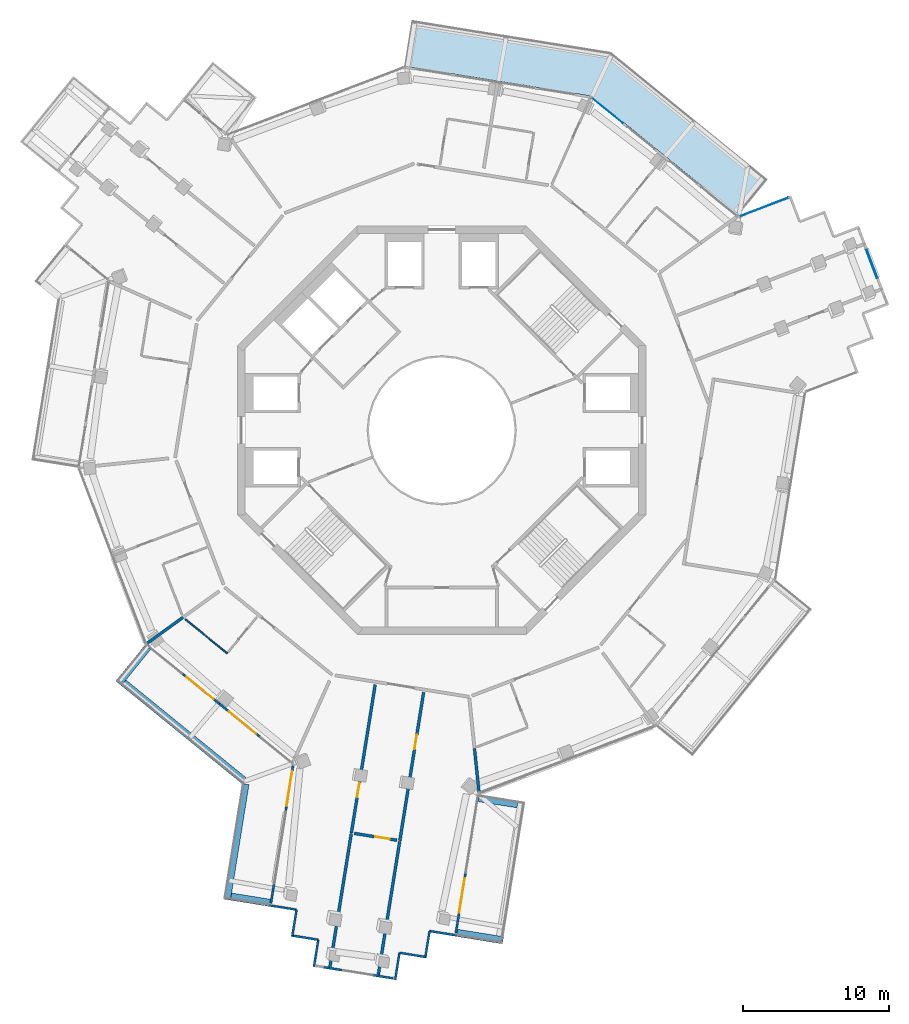
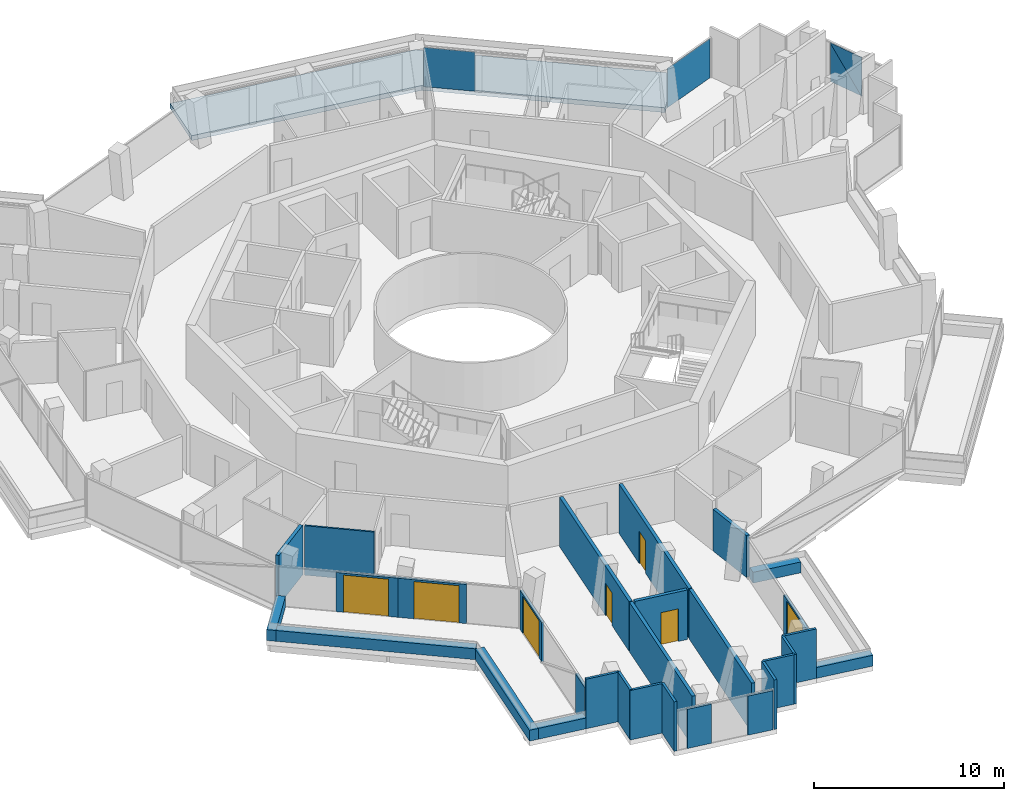
# One storey, part 15 of 23: 29 walls, 7 doors, 4 plates, 1 slab, 7 openings, 3 elements without a shape of their own.
"""IFC4 building model written with IfcOpenShell, lengths in metres."""

from ifc_helpers import new_model, si_unit, direction, frame, frame_2d, origin, origin_2d, place, context, subcontext, project, spatial, polyline, rectangle, outline, extrude, material, layer, layer_set, type_object, element, fill, aggregate, save


model = new_model("IFC4")

# Units and contexts
model_context = context("Model", 3, precision=1e-05, world=origin(), true_north=direction((0.0, 1.0)))
body_context = subcontext(model_context, "Body", "Model", "MODEL_VIEW")
ifc_project = project(units=[si_unit("LENGTHUNIT", "METRE"), si_unit("AREAUNIT", "SQUARE_METRE"), si_unit("VOLUMEUNIT", "CUBIC_METRE"), si_unit("PLANEANGLEUNIT", "RADIAN"), si_unit("MASSUNIT", "GRAM", prefix="KILO")], contexts=[model_context])

# Site, building, storey
site_placement = place(None, origin())
site = spatial("IfcSite", under=ifc_project, at=site_placement, CompositionType="ELEMENT")
building_placement = place(site_placement, origin())
building = spatial("IfcBuilding", under=site, at=building_placement, Name="Verdalira Terraces Hotel", CompositionType="ELEMENT")
storey_placement = place(building_placement, frame((0.0, 0.0, 241.0)))
storey = spatial("IfcBuildingStorey", under=building, at=storey_placement, Name="L59", CompositionType="ELEMENT", Elevation=241.0)

# Slab
ifc_material_1 = material(Name="Precast concrete C40/50", Category="concrete")
ifc_layer_1 = layer(ifc_material_1, 0.31005859375)
ifc_layer_set_1 = layer_set([ifc_layer_1], Name="Balcony deck 310")
slab_type = type_object("IfcSlabType", Name="Balcony deck 310", PredefinedType="FLOOR", material=ifc_layer_set_1)
slab_placement = place(storey_placement, frame((0.0, 0.0, -0.310059)))
element("IfcSlab", 1, at=slab_placement, inside=storey, type_object=slab_type, Name="Balcony deck", PredefinedType="FLOOR", context=body_context, shape_type="SweptSolid", body=[
    extrude(outline(polyline([(-2.065674, 28.141602), (-2.572754, 24.981934), (10.262939, 22.921387), (20.348633, 14.718994), (22.367676, 17.20166), (11.616699, 25.945068), (-2.065674, 28.141602)])), origin(), (0.0, 0.0, 1.0), 0.310059),
])

# Curtain wall, plate
ifc_material_2 = material(Name="Clear glass", Category="glass")
ifc_layer_2 = layer(ifc_material_2, 0.14990234375)
ifc_layer_set_2 = layer_set([ifc_layer_2], Name="CW1 curtain wall")
curtain_wall_type_1 = type_object("IfcCurtainWallType", Name="CW1 curtain wall", PredefinedType="NOTDEFINED", material=ifc_layer_set_2)
curtain_wall_1_placement = place(storey_placement, origin())
curtain_wall_1 = element("IfcCurtainWall", 2, at=curtain_wall_1_placement, inside=storey, type_object=curtain_wall_type_1, Name="CW1 curtain wall L59 edge 39", PredefinedType="NOTDEFINED")
ifc_material_3 = material(Name="Clear glass", Category="glass")
ifc_layer_3 = layer(ifc_material_3, 0.028076171875)
ifc_layer_set_3 = layer_set([ifc_layer_3], Name="CW1 glass unit 28")
plate_type_1 = type_object("IfcPlateType", Name="CW1 glass unit 28", PredefinedType="CURTAIN_PANEL", material=ifc_layer_set_3)
plate_1_placement = place(storey_placement, frame((11.355469, 21.936035, 0.0), z_axis=(0.0, 0.0, 1.0), x_axis=(-0.775826212, 0.63094666, 0.0)))
plate_1 = element("IfcPlate", 3, at=plate_1_placement, type_object=plate_type_1, Name="CW1 glass unit", PredefinedType="CURTAIN_PANEL", context=body_context, shape_type="SweptSolid", body=[
    extrude(rectangle(XDim=2.738525, YDim=0.028076, at=origin_2d()), origin(), (0.0, 0.0, 1.0), 2.524902),
])
aggregate(curtain_wall_1, [plate_1])

ifc_material_4 = material(Name="Clear glass", Category="glass")
ifc_layer_4 = layer(ifc_material_4, 0.14990234375)
ifc_layer_set_4 = layer_set([ifc_layer_4], Name="CW2 curtain wall")
curtain_wall_type_2 = type_object("IfcCurtainWallType", Name="CW2 curtain wall", PredefinedType="NOTDEFINED", material=ifc_layer_set_4)
curtain_wall_2_placement = place(storey_placement, origin())
curtain_wall_2 = element("IfcCurtainWall", 4, at=curtain_wall_2_placement, inside=storey, type_object=curtain_wall_type_2, Name="CW2 curtain wall L59 edge 38", PredefinedType="NOTDEFINED")
ifc_material_5 = material(Name="Clear glass", Category="glass")
ifc_layer_5 = layer(ifc_material_5, 0.031982421875)
ifc_layer_set_5 = layer_set([ifc_layer_5], Name="CW2 glass unit 32")
plate_type_2 = type_object("IfcPlateType", Name="CW2 glass unit 32", PredefinedType="CURTAIN_PANEL", material=ifc_layer_set_5)
plate_2_placement = place(storey_placement, frame((22.114258, 15.3125, 0.0), z_axis=(0.0, 0.0, 1.0), x_axis=(-0.934328942, -0.356411879, 0.0)))
plate_2 = element("IfcPlate", 5, at=plate_2_placement, type_object=plate_type_2, Name="CW2 glass unit", PredefinedType="CURTAIN_PANEL", context=body_context, shape_type="SweptSolid", body=[
    extrude(rectangle(XDim=3.58252, YDim=0.031982, at=origin_2d()), origin(), (0.0, 0.0, 1.0), 2.524902),
])
aggregate(curtain_wall_2, [plate_2])

# Curtain wall, plates
ifc_material_6 = material(Name="Clear glass", Category="glass")
ifc_layer_6 = layer(ifc_material_6, 0.14990234375)
ifc_layer_set_6 = layer_set([ifc_layer_6], Name="CW3 curtain wall")
curtain_wall_type_3 = type_object("IfcCurtainWallType", Name="CW3 curtain wall", PredefinedType="NOTDEFINED", material=ifc_layer_set_6)
curtain_wall_3_placement = place(storey_placement, origin())
curtain_wall_3 = element("IfcCurtainWall", 6, at=curtain_wall_3_placement, inside=storey, type_object=curtain_wall_type_3, Name="CW3 curtain wall L59 edge 33", PredefinedType="NOTDEFINED")
ifc_material_7 = material(Name="Clear glass", Category="glass")
ifc_layer_7 = layer(ifc_material_7, 0.035888671875)
ifc_layer_set_7 = layer_set([ifc_layer_7], Name="CW3 glass unit 36")
plate_type_3 = type_object("IfcPlateType", Name="CW3 glass unit 36", PredefinedType="CURTAIN_PANEL", material=ifc_layer_set_7)
plate_3_placement = place(storey_placement, frame((29.49292, 11.452637, 1.262451), z_axis=(0.934328942, 0.356411879, 0.0), x_axis=(-0.356411879, 0.934328942, 0.0)))
plate_3 = element("IfcPlate", 7, at=plate_3_placement, type_object=plate_type_3, Name="CW3 glass unit", PredefinedType="CURTAIN_PANEL", context=body_context, shape_type="SweptSolid", body=[
    extrude(outline(polyline([(-1.073242, -1.262451), (1.073242, -1.262451), (1.073242, 1.262451), (-1.073242, -1.262451)])), origin(), (0.0, 0.0, 1.0), 0.035889),
])
plate_4_placement = place(storey_placement, frame((29.458252, 11.439453, 1.262451), z_axis=(0.934328942, 0.356411879, 0.0), x_axis=(-0.356411879, 0.934328942, 0.0)))
plate_4 = element("IfcPlate", 8, at=plate_4_placement, type_object=plate_type_3, Name="CW3 glass unit", PredefinedType="CURTAIN_PANEL", context=body_context, shape_type="SweptSolid", body=[
    extrude(outline(polyline([(-1.073242, -1.262451), (1.073242, 1.262451), (-1.073242, 1.262451), (-1.073242, -1.262451)])), origin(), (0.0, 0.0, 1.0), 0.035889),
])
aggregate(curtain_wall_3, [plate_3, plate_4])

# Walls
ifc_material_8 = material(Name="Concrete C40", Category="concrete")
ifc_layer_8 = layer(ifc_material_8, 0.5)
ifc_layer_set_8 = layer_set([ifc_layer_8], Name="Balcony planter trough with tree")
wall_type_1 = type_object("IfcWallType", Name="Balcony planter trough with tree", PredefinedType="SOLIDWALL", material=ifc_layer_set_8)
wall_1_placement = place(storey_placement, frame((-20.155273, -14.877686, 0.0), z_axis=(0.0, 0.0, 1.0), x_axis=(-0.630957466, -0.775817424, 0.0)))
element("IfcWall", 9, at=wall_1_placement, inside=storey, type_object=wall_type_1, Name="Balcony planter", PredefinedType="SOLIDWALL", context=body_context, shape_type="SweptSolid", body=[
    extrude(rectangle(XDim=3.19873, YDim=0.5, at=frame_2d((1.599365, 0.0))), origin(), (0.0, 0.0, 1.0), 0.699951),
])
wall_2_placement = place(storey_placement, frame((-21.822021, -17.323242, 0.0), z_axis=(0.0, 0.0, 1.0), x_axis=(0.775830705, -0.630941136, 0.0)))
element("IfcWall", 10, at=wall_2_placement, inside=storey, type_object=wall_type_1, Name="Balcony planter", PredefinedType="SOLIDWALL", context=body_context, shape_type="SweptSolid", body=[
    extrude(rectangle(XDim=10.652588, YDim=0.5, at=frame_2d((5.326172, 0.0))), origin(), (0.0, 0.0, 1.0), 0.699951),
])
wall_3_placement = place(storey_placement, frame((-13.468506, -24.278076, 0.0), z_axis=(0.0, 0.0, 1.0), x_axis=(-0.158505445, -0.987358103, 0.0)))
element("IfcWall", 11, at=wall_3_placement, inside=storey, type_object=wall_type_1, Name="Balcony planter", PredefinedType="SOLIDWALL", context=body_context, shape_type="SweptSolid", body=[
    extrude(rectangle(XDim=8.024902, YDim=0.5, at=frame_2d((4.012451, 0.0))), origin(), (0.0, 0.0, 1.0), 0.699951),
])
wall_4_placement = place(storey_placement, frame((-14.453857, -31.994385, 0.0), z_axis=(0.0, 0.0, 1.0), x_axis=(0.98736148, -0.158484408, 0.0)))
element("IfcWall", 12, at=wall_4_placement, inside=storey, type_object=wall_type_1, Name="Balcony planter", PredefinedType="SOLIDWALL", context=body_context, shape_type="SweptSolid", body=[
    extrude(rectangle(XDim=2.698975, YDim=0.5, at=frame_2d((1.349609, 0.0))), origin(), (0.0, 0.0, 1.0), 0.699951),
])
wall_5_placement = place(storey_placement, frame((1.048584, -34.48291, 0.0), z_axis=(0.0, 0.0, 1.0), x_axis=(0.987358111, -0.158505395, 0.0)))
element("IfcWall", 13, at=wall_5_placement, inside=storey, type_object=wall_type_1, Name="Balcony planter", PredefinedType="SOLIDWALL", context=body_context, shape_type="SweptSolid", body=[
    extrude(rectangle(XDim=3.199219, YDim=0.5, at=frame_2d((1.599609, 0.0))), origin(), (0.0, 0.0, 1.0), 0.699951),
])
wall_6_placement = place(storey_placement, frame((5.198975, -25.656738, 0.0), z_axis=(0.0, 0.0, 1.0), x_axis=(-0.98736148, 0.158484408, 0.0)))
element("IfcWall", 14, at=wall_6_placement, inside=storey, type_object=wall_type_1, Name="Balcony planter", PredefinedType="SOLIDWALL", context=body_context, shape_type="SweptSolid", body=[
    extrude(rectangle(XDim=2.698975, YDim=0.5, at=frame_2d((1.349609, 0.0))), origin(), (0.0, 0.0, 1.0), 0.699951),
])
ifc_material_9 = material(Name="Moisture-resistant gypsum board partition")
ifc_layer_9 = layer(ifc_material_9, 0.10009765625)
ifc_layer_set_9 = layer_set([ifc_layer_9], Name="Bathroom partition 100 mm")
wall_type_2 = type_object("IfcWallType", Name="Bathroom partition 100 mm", PredefinedType="PARTITIONING", material=ifc_layer_set_9)
wall_7_placement = place(storey_placement, frame((-14.713867, -15.305908, 0.0), z_axis=(0.0, 0.0, 1.0), x_axis=(-0.775818108, 0.630956625, 0.0)))
element("IfcWall", 15, at=wall_7_placement, inside=storey, type_object=wall_type_2, Name="Bathroom partition", PredefinedType="PARTITIONING", context=body_context, shape_type="SweptSolid", body=[
    extrude(rectangle(XDim=3.711182, YDim=0.100098, at=frame_2d((1.855469, 0.0))), origin(), (0.0, 0.0, 1.0), 3.189941),
])
ifc_material_10 = material(Name="Fire-rated gypsum board wall")
ifc_layer_10 = layer(ifc_material_10, 0.199951171875)
ifc_layer_set_10 = layer_set([ifc_layer_10], Name="Demising wall 200 mm")
wall_type_3 = type_object("IfcWallType", Name="Demising wall 200 mm", PredefinedType="SOLIDWALL", material=ifc_layer_set_10)
wall_8_placement = place(storey_placement, frame((-17.748291, -12.838135, 0.0), z_axis=(0.0, 0.0, 1.0), x_axis=(-0.810251826, -0.586081888, 0.0)))
element("IfcWall", 16, at=wall_8_placement, inside=storey, type_object=wall_type_3, Name="Demising wall", PredefinedType="SOLIDWALL", context=body_context, shape_type="SweptSolid", body=[
    extrude(rectangle(XDim=3.059326, YDim=0.199951, at=frame_2d((1.529785, 0.0))), origin(), (0.0, 0.0, 1.0), 3.189941),
])
wall_9_placement = place(storey_placement, frame((-6.204834, -27.672607, 0.0), z_axis=(0.0, 0.0, 1.0), x_axis=(-0.158496632, -0.987359518, 0.0)))
element("IfcWall", 17, at=wall_9_placement, inside=storey, type_object=wall_type_3, Name="Demising wall", PredefinedType="SOLIDWALL", context=body_context, shape_type="SweptSolid", body=[
    extrude(rectangle(XDim=9.274414, YDim=0.199951, at=frame_2d((4.637207, 0.0))), origin(), (0.0, 0.0, 1.0), 3.189941),
])

# Wall, opening, door
wall_10_placement = place(storey_placement, frame((-6.19751, -27.627197, 0.0), z_axis=(0.0, 0.0, 1.0), x_axis=(0.158496989, 0.987359461, 0.0)))
wall_10 = element("IfcWall", 18, at=wall_10_placement, inside=storey, type_object=wall_type_3, Name="Demising wall", PredefinedType="SOLIDWALL", context=body_context, shape_type="SweptSolid", body=[
    extrude(rectangle(XDim=10.301758, YDim=0.199951, at=frame_2d((5.150879, 0.0))), origin(), (0.0, 0.0, 1.0), 3.189941),
])
opening_1_placement = place(wall_10_placement, frame((2.5, 0.0, 0.0)))
opening_1 = element("IfcOpeningElement", 19, at=opening_1_placement, cuts=wall_10, Name="Opening L59-112", PredefinedType="OPENING", context=body_context, shape_type="SweptSolid", body=[
    extrude(rectangle(XDim=1.0, YDim=2.100098, at=frame_2d((0.5, 1.050049))), frame((0.0, 0.109863, 0.0), z_axis=(0.0, -1.0, 0.0), x_axis=(1.0, 0.0, 0.0)), (0.0, 0.0, 1.0), 0.219971),
])
ifc_material_11 = material(Name="Timber fire door", Category="wood")
door_type_1 = type_object("IfcDoorType", Name="Public room door 1000 x 2100", OperationType="NOTDEFINED", PredefinedType="DOOR", material=ifc_material_11)
door_1_placement = place(opening_1_placement, origin())
door_1 = element("IfcDoor", 20, at=door_1_placement, inside=storey, type_object=door_type_1, Name="Public room door 5905", OperationType="SINGLE_SWING_LEFT", OverallHeight=2.10009765625, OverallWidth=1.0, PredefinedType="DOOR", context=body_context, shape_type="SweptSolid", body=[
    extrude(rectangle(XDim=1.0, YDim=2.100098, at=frame_2d((0.5, 1.050049))), frame((0.0, 0.024902, 0.0), z_axis=(0.0, -1.0, 0.0), x_axis=(1.0, 0.0, 0.0)), (0.0, 0.0, 1.0), 0.050049),
])
fill(opening_1, door_1)

wall_11_placement = place(storey_placement, frame((-3.072266, -28.126953, 0.0), z_axis=(0.0, 0.0, 1.0), x_axis=(-0.98735777, 0.158507523, 0.0)))
wall_11 = element("IfcWall", 21, at=wall_11_placement, inside=storey, type_object=wall_type_3, Name="Demising wall", PredefinedType="SOLIDWALL", context=body_context, shape_type="SweptSolid", body=[
    extrude(rectangle(XDim=2.965088, YDim=0.199951, at=frame_2d((1.482422, 0.0))), origin(), (0.0, 0.0, 1.0), 3.189941),
])
opening_2_placement = place(wall_11_placement, frame((0.5, 0.0, 0.0)))
opening_2 = element("IfcOpeningElement", 22, at=opening_2_placement, cuts=wall_11, Name="Opening L59-114", PredefinedType="OPENING", context=body_context, shape_type="SweptSolid", body=[
    extrude(rectangle(XDim=1.0, YDim=2.100098, at=frame_2d((0.5, 1.050049))), frame((0.0, 0.109863, 0.0), z_axis=(0.0, -1.0, 0.0), x_axis=(1.0, 0.0, 0.0)), (0.0, 0.0, 1.0), 0.219971),
])
door_2_placement = place(opening_2_placement, origin())
door_2 = element("IfcDoor", 23, at=door_2_placement, inside=storey, type_object=door_type_1, Name="Public room door 5905", OperationType="SINGLE_SWING_LEFT", OverallHeight=2.10009765625, OverallWidth=1.0, PredefinedType="DOOR", context=body_context, shape_type="SweptSolid", body=[
    extrude(rectangle(XDim=1.0, YDim=2.100098, at=frame_2d((0.5, 1.050049))), frame((0.0, 0.024902, 0.0), z_axis=(0.0, -1.0, 0.0), x_axis=(1.0, 0.0, 0.0)), (0.0, 0.0, 1.0), 0.050049),
])
fill(opening_2, door_2)

# Wall
wall_12_placement = place(storey_placement, frame((-4.352295, -37.363281, 0.0), z_axis=(0.0, 0.0, 1.0), x_axis=(0.158496632, 0.987359518, 0.0)))
element("IfcWall", 24, at=wall_12_placement, inside=storey, type_object=wall_type_3, Name="Demising wall", PredefinedType="SOLIDWALL", context=body_context, shape_type="SweptSolid", body=[
    extrude(rectangle(XDim=9.274414, YDim=0.199951, at=frame_2d((4.637207, 0.0))), origin(), (0.0, 0.0, 1.0), 3.189941),
])

# Wall, opening, door
wall_13_placement = place(storey_placement, frame((-1.242188, -17.989014, 0.0), z_axis=(0.0, 0.0, 1.0), x_axis=(-0.158496989, -0.987359461, 0.0)))
wall_13 = element("IfcWall", 25, at=wall_13_placement, inside=storey, type_object=wall_type_3, Name="Demising wall", PredefinedType="SOLIDWALL", context=body_context, shape_type="SweptSolid", body=[
    extrude(rectangle(XDim=10.301758, YDim=0.199951, at=frame_2d((5.150879, 0.0))), origin(), (0.0, 0.0, 1.0), 3.189941),
])
opening_3_placement = place(wall_13_placement, frame((2.949951, 0.0, 0.0)))
opening_3 = element("IfcOpeningElement", 26, at=opening_3_placement, cuts=wall_13, Name="Opening L59-113", PredefinedType="OPENING", context=body_context, shape_type="SweptSolid", body=[
    extrude(rectangle(XDim=1.0, YDim=2.100098, at=frame_2d((0.5, 1.050049))), frame((0.0, 0.109863, 0.0), z_axis=(0.0, -1.0, 0.0), x_axis=(1.0, 0.0, 0.0)), (0.0, 0.0, 1.0), 0.219971),
])
door_3_placement = place(opening_3_placement, origin())
door_3 = element("IfcDoor", 27, at=door_3_placement, inside=storey, type_object=door_type_1, Name="Public room door 5905", OperationType="SINGLE_SWING_LEFT", OverallHeight=2.10009765625, OverallWidth=1.0, PredefinedType="DOOR", context=body_context, shape_type="SweptSolid", body=[
    extrude(rectangle(XDim=1.0, YDim=2.100098, at=frame_2d((0.5, 1.050049))), frame((0.0, 0.024902, 0.0), z_axis=(0.0, -1.0, 0.0), x_axis=(1.0, 0.0, 0.0)), (0.0, 0.0, 1.0), 0.050049),
])
fill(opening_3, door_3)

# Walls
ifc_material_12 = material(Name="Fire-rated gypsum board wall")
ifc_layer_11 = layer(ifc_material_12, 0.199951171875)
ifc_layer_set_11 = layer_set([ifc_layer_11], Name="Demising wall 200 mm to beam soffit")
wall_type_4 = type_object("IfcWallType", Name="Demising wall 200 mm to beam soffit", PredefinedType="SOLIDWALL", material=ifc_layer_set_11)
wall_14_placement = place(storey_placement, frame((2.248779, -21.837158, 0.0), z_axis=(0.0, 0.0, 1.0), x_axis=(0.102553406, -0.9947275, 0.0)))
element("IfcWall", 28, at=wall_14_placement, inside=storey, type_object=wall_type_4, Name="Demising wall", PredefinedType="SOLIDWALL", context=body_context, shape_type="SweptSolid", body=[
    extrude(rectangle(XDim=3.011475, YDim=0.199951, at=frame_2d((1.505859, 0.0))), origin(), (0.0, 0.0, 1.0), 2.689941),
])
ifc_material_13 = material(Name="Terracotta cladding", Category="masonry")
ifc_layer_12 = layer(ifc_material_13, 0.14990234375)
ifc_layer_set_12 = layer_set([ifc_layer_12], Name="Terracotta clad wall 150")
wall_type_5 = type_object("IfcWallType", Name="Terracotta clad wall 150", PredefinedType="SOLIDWALL", material=ifc_layer_set_12)
wall_15_placement = place(storey_placement, frame((-11.815674, -32.594971, 0.0), z_axis=(0.0, 0.0, 1.0), x_axis=(0.987344574, -0.158589699, 0.0)))
element("IfcWall", 29, at=wall_15_placement, inside=storey, type_object=wall_type_5, Name="Terracotta cladding wall", PredefinedType="SOLIDWALL", context=body_context, shape_type="SweptSolid", body=[
    extrude(rectangle(XDim=1.875, YDim=0.149902, at=frame_2d((0.9375, 0.0))), origin(), (0.0, 0.0, 1.0), 3.189941),
])
wall_16_placement = place(storey_placement, frame((-9.964355, -32.892334, 0.0), z_axis=(0.0, 0.0, 1.0), x_axis=(-0.158567117, -0.987348201, 0.0)))
element("IfcWall", 30, at=wall_16_placement, inside=storey, type_object=wall_type_5, Name="Terracotta cladding wall", PredefinedType="SOLIDWALL", context=body_context, shape_type="SweptSolid", body=[
    extrude(rectangle(XDim=1.799805, YDim=0.149902, at=frame_2d((0.899902, 0.0))), origin(), (0.0, 0.0, 1.0), 3.189941),
])
for number, where, z_axis, x_axis, name in (
    (31, (-10.32373, -34.657471, 0.0), (0.0, 0.0, 1.0), (0.987344574, -0.158589699, 0.0), "Terracotta cladding wall"),
    (32, (-8.472412, -34.954834, 0.0), (0.0, 0.0, 1.0), (-0.158589699, -0.987344574, 0.0), "Terracotta cladding wall"),
    (33, (-3.191162, -37.70166, 0.0), (0.0, 0.0, 1.0), (0.158462765, 0.987364954, 0.0), "Terracotta cladding wall"),
):
    element("IfcWall", number, at=place(storey_placement, frame(where, z_axis=z_axis, x_axis=x_axis)), inside=storey, type_object=wall_type_5, Name=name, PredefinedType="SOLIDWALL", context=body_context, shape_type="SweptSolid", body=[
        extrude(rectangle(XDim=1.875, YDim=0.149902, at=frame_2d((0.9375, 0.0))), origin(), (0.0, 0.0, 1.0), 3.189941),
    ])
wall_17_placement = place(storey_placement, frame((-2.894043, -35.850342, 0.0), z_axis=(0.0, 0.0, 1.0), x_axis=(0.987372833, -0.158413663, 0.0)))
element("IfcWall", 34, at=wall_17_placement, inside=storey, type_object=wall_type_5, Name="Terracotta cladding wall", PredefinedType="SOLIDWALL", context=body_context, shape_type="SweptSolid", body=[
    extrude(rectangle(XDim=1.800049, YDim=0.149902, at=frame_2d((0.899902, 0.0))), origin(), (0.0, 0.0, 1.0), 3.189941),
])
wall_18_placement = place(storey_placement, frame((-1.128662, -36.209717, 0.0), z_axis=(0.0, 0.0, 1.0), x_axis=(0.158589699, 0.987344574, 0.0)))
element("IfcWall", 35, at=wall_18_placement, inside=storey, type_object=wall_type_5, Name="Terracotta cladding wall", PredefinedType="SOLIDWALL", context=body_context, shape_type="SweptSolid", body=[
    extrude(rectangle(XDim=1.875, YDim=0.149902, at=frame_2d((0.9375, 0.0))), origin(), (0.0, 0.0, 1.0), 3.189941),
])
wall_19_placement = place(storey_placement, frame((-0.831299, -34.358398, 0.0), z_axis=(0.0, 0.0, 1.0), x_axis=(0.987361684, -0.15848314, 0.0)))
element("IfcWall", 36, at=wall_19_placement, inside=storey, type_object=wall_type_5, Name="Terracotta cladding wall", PredefinedType="SOLIDWALL", context=body_context, shape_type="SweptSolid", body=[
    extrude(rectangle(XDim=1.874756, YDim=0.149902, at=frame_2d((0.9375, 0.0))), origin(), (0.0, 0.0, 1.0), 3.189941),
])
ifc_material_14 = material(Name="Terracotta cladding", Category="masonry")
ifc_layer_13 = layer(ifc_material_14, 0.14990234375)
ifc_layer_set_13 = layer_set([ifc_layer_13], Name="Terracotta column pier 150")
wall_type_6 = type_object("IfcWallType", Name="Terracotta column pier 150", PredefinedType="SOLIDWALL", material=ifc_layer_set_13)
wall_20_placement = place(storey_placement, frame((-11.5, -31.101074, 0.0), z_axis=(0.0, 0.0, 1.0), x_axis=(-0.158487189, -0.987361034, 0.0)))
element("IfcWall", 37, at=wall_20_placement, inside=storey, type_object=wall_type_6, Name="Terracotta column pier", PredefinedType="SOLIDWALL", context=body_context, shape_type="SweptSolid", body=[
    extrude(rectangle(XDim=1.380127, YDim=0.149902, at=frame_2d((0.689941, 0.0))), origin(), (0.0, 0.0, 1.0), 2.524902),
])
wall_21_placement = place(storey_placement, frame((-8.101318, -36.837402, 0.0), z_axis=(0.0, 0.0, 1.0), x_axis=(0.987351342, -0.158547557, 0.0)))
element("IfcWall", 38, at=wall_21_placement, inside=storey, type_object=wall_type_6, Name="Terracotta column pier", PredefinedType="SOLIDWALL", context=body_context, shape_type="SweptSolid", body=[
    extrude(rectangle(XDim=1.367432, YDim=0.149902, at=frame_2d((0.683594, 0.0))), origin(), (0.0, 0.0, 1.0), 2.524902),
])
wall_22_placement = place(storey_placement, frame((-4.724365, -37.379395, 0.0), z_axis=(0.0, 0.0, 1.0), x_axis=(0.987341027, -0.158611782, 0.0)))
element("IfcWall", 39, at=wall_22_placement, inside=storey, type_object=wall_type_6, Name="Terracotta column pier", PredefinedType="SOLIDWALL", context=body_context, shape_type="SweptSolid", body=[
    extrude(rectangle(XDim=1.409912, YDim=0.149902, at=frame_2d((0.705078, 0.0))), origin(), (0.0, 0.0, 1.0), 2.524902),
])

# Wall, opening, door
ifc_material_15 = material(Name="Terracotta cladding", Category="masonry")
ifc_layer_14 = layer(ifc_material_15, 0.14990234375)
ifc_layer_set_14 = layer_set([ifc_layer_14], Name="Terracotta door pier 150")
wall_type_7 = type_object("IfcWallType", Name="Terracotta door pier 150", PredefinedType="SOLIDWALL", material=ifc_layer_set_14)
wall_23_placement = place(storey_placement, frame((-17.818604, -16.679932, 0.0), z_axis=(0.0, 0.0, 1.0), x_axis=(0.775849163, -0.630918438, 0.0)))
wall_23 = element("IfcWall", 40, at=wall_23_placement, inside=storey, type_object=wall_type_7, Name="Terracotta door pier", PredefinedType="SOLIDWALL", context=body_context, shape_type="SweptSolid", body=[
    extrude(rectangle(XDim=3.300049, YDim=0.149902, at=frame_2d((1.649902, 0.0))), origin(), (0.0, 0.0, 1.0), 2.524902),
])
opening_4_placement = place(wall_23_placement, frame((0.399902, 0.0, 0.0)))
opening_4 = element("IfcOpeningElement", 41, at=opening_4_placement, cuts=wall_23, Name="Opening L59-B06", PredefinedType="OPENING", context=body_context, shape_type="SweptSolid", body=[
    extrude(rectangle(XDim=2.399902, YDim=2.399902, at=frame_2d((1.199951, 1.199951))), frame((0.0, 0.084961, 0.0), z_axis=(0.0, -1.0, 0.0), x_axis=(1.0, 0.0, 0.0)), (0.0, 0.0, 1.0), 0.169922),
])
ifc_material_16 = material(Name="Clear glass", Category="glass")
door_type_2 = type_object("IfcDoorType", Name="Balcony sliding door 2400x2400", OperationType="NOTDEFINED", PredefinedType="DOOR", material=ifc_material_16)
door_4_placement = place(opening_4_placement, origin())
door_4 = element("IfcDoor", 42, at=door_4_placement, inside=storey, type_object=door_type_2, Name="Balcony sliding door", OperationType="SLIDING_TO_RIGHT", OverallHeight=2.39990234375, OverallWidth=2.39990234375, PredefinedType="DOOR", context=body_context, shape_type="SweptSolid", body=[
    extrude(rectangle(XDim=2.399902, YDim=2.399902, at=frame_2d((1.199951, 1.199951))), frame((0.0, 0.024902, 0.0), z_axis=(0.0, -1.0, 0.0), x_axis=(1.0, 0.0, 0.0)), (0.0, 0.0, 1.0), 0.050049),
])
fill(opening_4, door_4)

wall_24_placement = place(storey_placement, frame((-15.258301, -18.761963, 0.0), z_axis=(0.0, 0.0, 1.0), x_axis=(0.775807944, -0.630969122, 0.0)))
wall_24 = element("IfcWall", 43, at=wall_24_placement, inside=storey, type_object=wall_type_7, Name="Terracotta door pier", PredefinedType="SOLIDWALL", context=body_context, shape_type="SweptSolid", body=[
    extrude(rectangle(XDim=3.661133, YDim=0.149902, at=frame_2d((1.830566, 0.0))), origin(), (0.0, 0.0, 1.0), 2.524902),
])
opening_5_placement = place(wall_24_placement, frame((0.861328, 0.0, 0.0)))
opening_5 = element("IfcOpeningElement", 44, at=opening_5_placement, cuts=wall_24, Name="Opening L59-B07", PredefinedType="OPENING", context=body_context, shape_type="SweptSolid", body=[
    extrude(rectangle(XDim=2.399902, YDim=2.399902, at=frame_2d((1.199951, 1.199951))), frame((0.0, 0.084961, 0.0), z_axis=(0.0, -1.0, 0.0), x_axis=(1.0, 0.0, 0.0)), (0.0, 0.0, 1.0), 0.169922),
])
door_5_placement = place(opening_5_placement, origin())
door_5 = element("IfcDoor", 45, at=door_5_placement, inside=storey, type_object=door_type_2, Name="Balcony sliding door", OperationType="SLIDING_TO_LEFT", OverallHeight=2.39990234375, OverallWidth=2.39990234375, PredefinedType="DOOR", context=body_context, shape_type="SweptSolid", body=[
    extrude(rectangle(XDim=2.399902, YDim=2.399902, at=frame_2d((1.199951, 1.199951))), frame((0.0, 0.024902, 0.0), z_axis=(0.0, -1.0, 0.0), x_axis=(1.0, 0.0, 0.0)), (0.0, 0.0, 1.0), 0.050049),
])
fill(opening_5, door_5)

wall_25_placement = place(storey_placement, frame((-10.199951, -23.002441, 0.0), z_axis=(0.0, 0.0, 1.0), x_axis=(-0.158469573, -0.987363861, 0.0)))
wall_25 = element("IfcWall", 46, at=wall_25_placement, inside=storey, type_object=wall_type_7, Name="Terracotta door pier", PredefinedType="SOLIDWALL", context=body_context, shape_type="SweptSolid", body=[
    extrude(rectangle(XDim=3.199951, YDim=0.149902, at=frame_2d((1.600098, 0.0))), origin(), (0.0, 0.0, 1.0), 2.524902),
])
opening_6_placement = place(wall_25_placement, frame((0.399902, 0.0, 0.0)))
opening_6 = element("IfcOpeningElement", 47, at=opening_6_placement, cuts=wall_25, Name="Opening L59-B08", PredefinedType="OPENING", context=body_context, shape_type="SweptSolid", body=[
    extrude(rectangle(XDim=2.399902, YDim=2.399902, at=frame_2d((1.199951, 1.199951))), frame((0.0, 0.084961, 0.0), z_axis=(0.0, -1.0, 0.0), x_axis=(1.0, 0.0, 0.0)), (0.0, 0.0, 1.0), 0.169922),
])
door_6_placement = place(opening_6_placement, origin())
door_6 = element("IfcDoor", 48, at=door_6_placement, inside=storey, type_object=door_type_2, Name="Balcony sliding door", OperationType="SLIDING_TO_LEFT", OverallHeight=2.39990234375, OverallWidth=2.39990234375, PredefinedType="DOOR", context=body_context, shape_type="SweptSolid", body=[
    extrude(rectangle(XDim=2.399902, YDim=2.399902, at=frame_2d((1.199951, 1.199951))), frame((0.0, 0.024902, 0.0), z_axis=(0.0, -1.0, 0.0), x_axis=(1.0, 0.0, 0.0)), (0.0, 0.0, 1.0), 0.050049),
])
fill(opening_6, door_6)

wall_26_placement = place(storey_placement, frame((0.96875, -34.500488, 0.0), z_axis=(0.0, 0.0, 1.0), x_axis=(0.158546862, 0.987351453, 0.0)))
wall_26 = element("IfcWall", 49, at=wall_26_placement, inside=storey, type_object=wall_type_7, Name="Terracotta door pier", PredefinedType="SOLIDWALL", context=body_context, shape_type="SweptSolid", body=[
    extrude(rectangle(XDim=4.209961, YDim=0.149902, at=frame_2d((2.10498, 0.0))), origin(), (0.0, 0.0, 1.0), 2.524902),
])
opening_7_placement = place(wall_26_placement, frame((1.409912, 0.0, 0.0)))
opening_7 = element("IfcOpeningElement", 50, at=opening_7_placement, cuts=wall_26, Name="Opening L59-B09", PredefinedType="OPENING", context=body_context, shape_type="SweptSolid", body=[
    extrude(rectangle(XDim=2.399902, YDim=2.399902, at=frame_2d((1.199951, 1.199951))), frame((0.0, 0.084961, 0.0), z_axis=(0.0, -1.0, 0.0), x_axis=(1.0, 0.0, 0.0)), (0.0, 0.0, 1.0), 0.169922),
])
door_7_placement = place(opening_7_placement, origin())
door_7 = element("IfcDoor", 51, at=door_7_placement, inside=storey, type_object=door_type_2, Name="Balcony sliding door", OperationType="SLIDING_TO_LEFT", OverallHeight=2.39990234375, OverallWidth=2.39990234375, PredefinedType="DOOR", context=body_context, shape_type="SweptSolid", body=[
    extrude(rectangle(XDim=2.399902, YDim=2.399902, at=frame_2d((1.199951, 1.199951))), frame((0.0, 0.024902, 0.0), z_axis=(0.0, -1.0, 0.0), x_axis=(1.0, 0.0, 0.0)), (0.0, 0.0, 1.0), 0.050049),
])
fill(opening_7, door_7)

save(model, "model.ifc")
